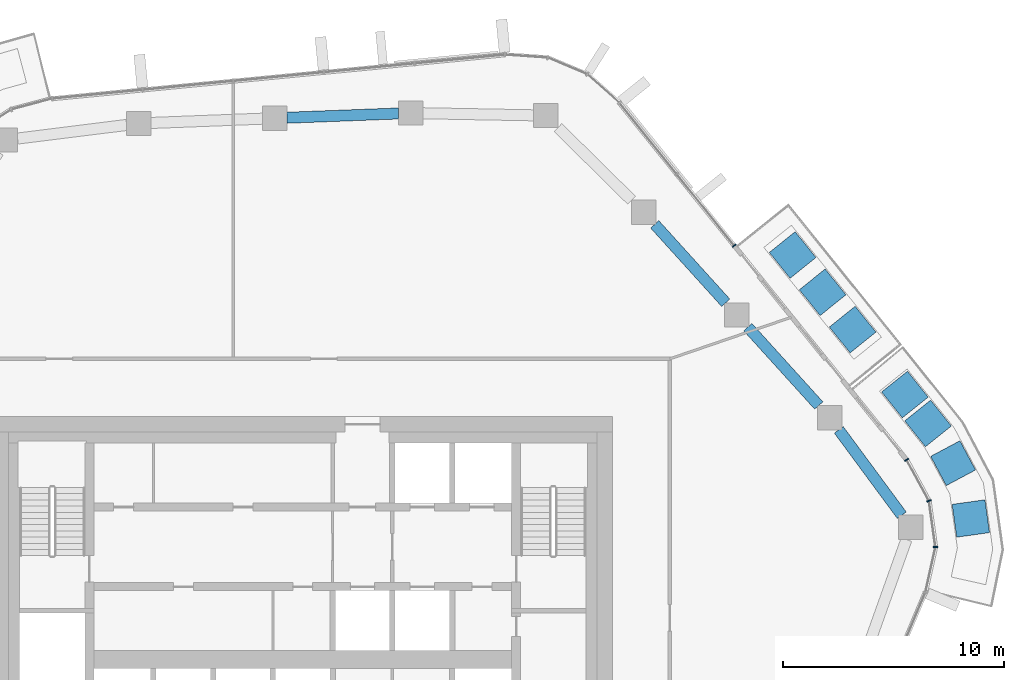
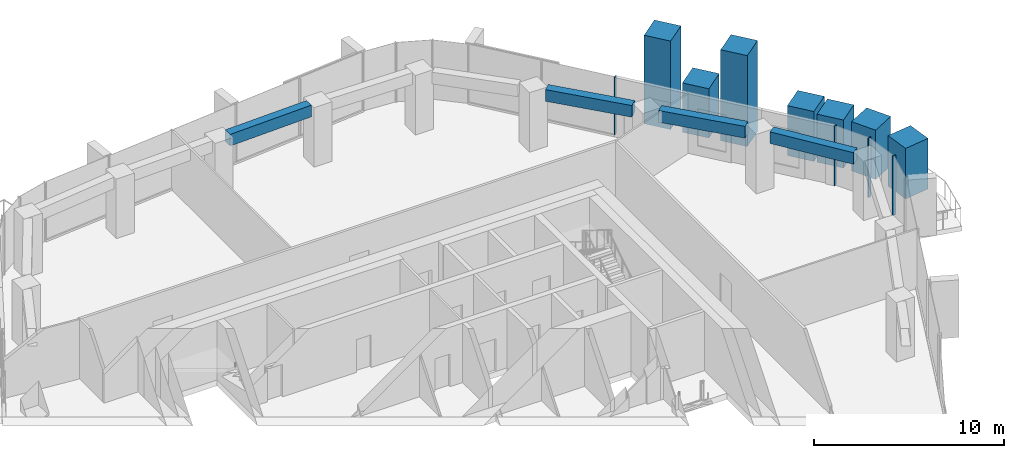
# One storey, part 8 of 20: 11 members, 4 beams, 2 elements without a shape of their own.
"""IFC4 building model written with IfcOpenShell, lengths in metres."""

from ifc_helpers import new_model, si_unit, direction, frame, origin, origin_2d, place, context, subcontext, project, spatial, rectangle, extrude, material, layer, layer_set, material_profile, profile_set, type_object, element, aggregate, save


model = new_model("IFC4")

# Units and contexts
model_context = context("Model", 3, precision=1e-05, world=origin(), true_north=direction((0.0, 1.0)))
body_context = subcontext(model_context, "Body", "Model", "MODEL_VIEW")
ifc_project = project(units=[si_unit("LENGTHUNIT", "METRE"), si_unit("AREAUNIT", "SQUARE_METRE"), si_unit("VOLUMEUNIT", "CUBIC_METRE"), si_unit("PLANEANGLEUNIT", "RADIAN"), si_unit("MASSUNIT", "GRAM", prefix="KILO")], contexts=[model_context])

# Site, building, storey
site_placement = place(None, origin())
site = spatial("IfcSite", under=ifc_project, at=site_placement, CompositionType="ELEMENT")
building_placement = place(site_placement, origin())
building = spatial("IfcBuilding", under=site, at=building_placement, Name="Dongbaek Canopy Tower", CompositionType="ELEMENT")
storey_placement = place(building_placement, frame((0.0, 0.0, 262.199951171875)))
storey = spatial("IfcBuildingStorey", under=building, at=storey_placement, Name="L55", CompositionType="ELEMENT", Elevation=262.199951171875)

# Curtain wall, members
ifc_material_1 = material(Name="Aluminium 6063-T6 pale anodised", Category="aluminium")
ifc_layer = layer(ifc_material_1, 0.199951171875)
ifc_layer_set = layer_set([ifc_layer], Name="CW-1 unitised tower curtain wall")
curtain_wall_type = type_object("IfcCurtainWallType", Name="CW-1 unitised tower curtain wall", PredefinedType="NOTDEFINED", material=ifc_layer_set)
curtain_wall_1_placement = place(storey_placement, origin())
curtain_wall_1 = element("IfcCurtainWall", 1, at=curtain_wall_1_placement, inside=storey, type_object=curtain_wall_type, Name="CW-1 curtain wall K0.1", PredefinedType="NOTDEFINED")
ifc_material_2 = material(Name="Aluminium 6063-T6 pale anodised", Category="aluminium")
ifc_material_profile_1 = material_profile(ifc_material_2, rectangle(XDim=0.199951171875, YDim=0.06005859375, at=origin_2d()), Name="CW-1 mullion 60 x 200")
ifc_profile_set_1 = profile_set([ifc_material_profile_1], Name="Aluminium 6063-T6 pale anodised")
member_type_1 = type_object("IfcMemberType", Name="CW-1 mullion 60 x 200", PredefinedType="MULLION", material=ifc_profile_set_1)
member_1_placement = place(storey_placement, frame((28.6083984375, 5.092529296875, 0.0), z_axis=(0.0, 0.0, 1.0), x_axis=(0.999216876817, -0.039568081642, 0.0)))
member_1 = element("IfcMember", 2, at=member_1_placement, type_object=member_type_1, Name="CW-1 mullion K0.1.2", PredefinedType="MULLION", context=body_context, shape_type="SweptSolid", body=[
    extrude(rectangle(XDim=0.199951171875, YDim=0.06005859375, at=origin_2d()), origin(), (0.0, 0.0, 1.0), 3.820068359375),
])
member_2_placement = place(storey_placement, frame((28.315673828125, 7.175537109375, 0.0), z_axis=(0.0, 0.0, 1.0), x_axis=(0.949557837382, 0.313591953765, 0.0)))
member_2 = element("IfcMember", 3, at=member_2_placement, type_object=member_type_1, Name="CW-1 mullion K0.1.3", PredefinedType="MULLION", context=body_context, shape_type="SweptSolid", body=[
    extrude(rectangle(XDim=0.199951171875, YDim=0.06005859375, at=origin_2d()), origin(), (0.0, 0.0, 1.0), 3.820068359375),
])
member_3_placement = place(storey_placement, frame((27.305908203125, 9.031494140625, 0.0), z_axis=(0.0, 0.0, 1.0), x_axis=(0.878420510508, 0.477888487745, 0.0)))
member_3 = element("IfcMember", 4, at=member_3_placement, type_object=member_type_1, Name="CW-1 mullion K0.1.4", PredefinedType="MULLION", context=body_context, shape_type="SweptSolid", body=[
    extrude(rectangle(XDim=0.199951171875, YDim=0.06005859375, at=origin_2d()), origin(), (0.0, 0.0, 1.0), 3.820068359375),
])
aggregate(curtain_wall_1, [member_1, member_2, member_3])

# Curtain wall, member
curtain_wall_2_placement = place(storey_placement, origin())
curtain_wall_2 = element("IfcCurtainWall", 5, at=curtain_wall_2_placement, inside=storey, type_object=curtain_wall_type, Name="CW-1 curtain wall F0.1", PredefinedType="NOTDEFINED")
member_4_placement = place(storey_placement, frame((19.51318359375, 18.717041015625, 0.1201171875), z_axis=(0.0, 0.0, 1.0), x_axis=(0.779126406475, 0.626866846096, 0.0)))
member_4 = element("IfcMember", 6, at=member_4_placement, type_object=member_type_1, Name="CW-1 mullion F0.1.1", PredefinedType="MULLION", context=body_context, shape_type="SweptSolid", body=[
    extrude(rectangle(XDim=0.199951171875, YDim=0.06005859375, at=origin_2d()), origin(), (0.0, 0.0, 1.0), 3.699951171875),
])
aggregate(curtain_wall_2, [member_4])

# Beams
ifc_material_3 = material(Name="Concrete C70", Category="concrete")
ifc_material_profile_2 = material_profile(ifc_material_3, rectangle(XDim=0.5, YDim=0.75, at=origin_2d()), Name="RC EDGE BEAM 500x750 C70")
ifc_profile_set_2 = profile_set([ifc_material_profile_2], Name="Concrete C70")
beam_type = type_object("IfcBeamType", Name="RC EDGE BEAM 500x750 C70", PredefinedType="BEAM", material=ifc_profile_set_2)
beam_1_placement = place(storey_placement, frame((-0.716064453125, 24.5, 3.445068359375), z_axis=(0.999269359521, 0.038219721647, 0.0), x_axis=(-0.038219721647, 0.999269359521, 0.0)))
element("IfcBeam", 7, at=beam_1_placement, inside=storey, type_object=beam_type, Name="EDGEBEAM:L55:15", PredefinedType="BEAM", context=body_context, shape_type="SweptSolid", body=[
    extrude(rectangle(XDim=0.5, YDim=0.75, at=origin_2d()), origin(), (0.0, 0.0, 1.0), 5.052734375),
])
beam_2_placement = place(storey_placement, frame((15.916015625, 19.678955078125, 3.445068359375), z_axis=(0.671330225436, -0.741158369322, 0.0), x_axis=(0.741158369322, 0.671330225436, 0.0)))
element("IfcBeam", 8, at=beam_2_placement, inside=storey, type_object=beam_type, Name="EDGEBEAM:L55:18", PredefinedType="BEAM", context=body_context, shape_type="SweptSolid", body=[
    extrude(rectangle(XDim=0.5, YDim=0.75, at=origin_2d()), origin(), (0.0, 0.0, 1.0), 4.782958984375),
])
beam_3_placement = place(storey_placement, frame((20.123046875, 15.033935546875, 3.445068359375), z_axis=(0.671218045362, -0.741259964911, 0.0), x_axis=(0.741259964911, 0.671218045362, 0.0)))
element("IfcBeam", 9, at=beam_3_placement, inside=storey, type_object=beam_type, Name="EDGEBEAM:L55:19", PredefinedType="BEAM", context=body_context, shape_type="SweptSolid", body=[
    extrude(rectangle(XDim=0.5, YDim=0.75, at=origin_2d()), origin(), (0.0, 0.0, 1.0), 4.7822265625),
])
beam_4_placement = place(storey_placement, frame((24.23681640625, 10.388916015625, 3.445068359375), z_axis=(0.593714292615, -0.804675921564, 0.0), x_axis=(0.804675921564, 0.593714292615, 0.0)))
element("IfcBeam", 10, at=beam_4_placement, inside=storey, type_object=beam_type, Name="EDGEBEAM:L55:20", PredefinedType="BEAM", context=body_context, shape_type="SweptSolid", body=[
    extrude(rectangle(XDim=0.5, YDim=0.75, at=origin_2d()), origin(), (0.0, 0.0, 1.0), 4.79931640625),
])

# Members
ifc_material_4 = material(Name="Concrete C40/50 planter mass with planting", Category="concrete")
ifc_material_profile_3 = material_profile(ifc_material_4, rectangle(XDim=1.5, YDim=1.5, at=origin_2d()), Name="Terrace PLANTER shrub mass 1500 x 1500")
ifc_profile_set_3 = profile_set([ifc_material_profile_3], Name="Concrete C40/50 planter mass with planting")
member_type_2 = type_object("IfcMemberType", Name="Terrace PLANTER shrub mass 1500 x 1500", PredefinedType="USERDEFINED", material=ifc_profile_set_3)
member_5_placement = place(storey_placement, frame((24.864013671875, 14.921875, 0.420166015625), z_axis=(0.0, 0.0, 1.0), x_axis=(0.779126406475, 0.626866846096, 0.0)))
element("IfcMember", 11, at=member_5_placement, inside=storey, type_object=member_type_2, Name="Planter tree L55 1.1", ObjectType="PLANTER", PredefinedType="USERDEFINED", context=body_context, shape_type="SweptSolid", body=[
    extrude(rectangle(XDim=1.5, YDim=1.5, at=origin_2d()), origin(), (0.0, 0.0, 1.0), 5.849853515625),
])
member_6_placement = place(storey_placement, frame((23.50732421875, 16.6083984375, 0.420166015625), z_axis=(0.0, 0.0, 1.0), x_axis=(0.779126406475, 0.626866846096, 0.0)))
element("IfcMember", 12, at=member_6_placement, inside=storey, type_object=member_type_2, Name="Planter shrubs L55 1.2", ObjectType="PLANTER", PredefinedType="USERDEFINED", context=body_context, shape_type="SweptSolid", body=[
    extrude(rectangle(XDim=1.5, YDim=1.5, at=origin_2d()), origin(), (0.0, 0.0, 1.0), 3.169921875),
])
member_7_placement = place(storey_placement, frame((22.150390625, 18.294677734375, 0.420166015625), z_axis=(0.0, 0.0, 1.0), x_axis=(0.779126406475, 0.626866846096, 0.0)))
element("IfcMember", 13, at=member_7_placement, inside=storey, type_object=member_type_2, Name="Planter tree L55 1.3", ObjectType="PLANTER", PredefinedType="USERDEFINED", context=body_context, shape_type="SweptSolid", body=[
    extrude(rectangle(XDim=1.5, YDim=1.5, at=origin_2d()), origin(), (0.0, 0.0, 1.0), 5.68994140625),
])
member_8_placement = place(storey_placement, frame((30.207763671875, 6.37939453125, 0.420166015625), z_axis=(0.0, 0.0, 1.0), x_axis=(0.990258160445, 0.139243583955, 0.0)))
element("IfcMember", 14, at=member_8_placement, inside=storey, type_object=member_type_2, Name="Planter shrubs L55 5.1", ObjectType="PLANTER", PredefinedType="USERDEFINED", context=body_context, shape_type="SweptSolid", body=[
    extrude(rectangle(XDim=1.5, YDim=1.5, at=origin_2d()), origin(), (0.0, 0.0, 1.0), 3.25),
])
member_9_placement = place(storey_placement, frame((29.40625, 8.880859375, 0.420166015625), z_axis=(0.0, 0.0, 1.0), x_axis=(0.882135637681, 0.470995452986, 0.0)))
element("IfcMember", 15, at=member_9_placement, inside=storey, type_object=member_type_2, Name="Planter shrubs L55 5.2", ObjectType="PLANTER", PredefinedType="USERDEFINED", context=body_context, shape_type="SweptSolid", body=[
    extrude(rectangle(XDim=1.5, YDim=1.5, at=origin_2d()), origin(), (0.0, 0.0, 1.0), 3.169921875),
])
member_10_placement = place(storey_placement, frame((28.2724609375, 10.677490234375, 0.420166015625), z_axis=(0.0, 0.0, 1.0), x_axis=(0.780395160614, 0.625286648898, 0.0)))
element("IfcMember", 16, at=member_10_placement, inside=storey, type_object=member_type_2, Name="Planter shrubs L55 5.3", ObjectType="PLANTER", PredefinedType="USERDEFINED", context=body_context, shape_type="SweptSolid", body=[
    extrude(rectangle(XDim=1.5, YDim=1.5, at=origin_2d()), origin(), (0.0, 0.0, 1.0), 3.08984375),
])
member_11_placement = place(storey_placement, frame((27.2255859375, 11.984130859375, 0.420166015625), z_axis=(0.0, 0.0, 1.0), x_axis=(0.780395160614, 0.625286648898, 0.0)))
element("IfcMember", 17, at=member_11_placement, inside=storey, type_object=member_type_2, Name="Planter shrubs L55 5.4", ObjectType="PLANTER", PredefinedType="USERDEFINED", context=body_context, shape_type="SweptSolid", body=[
    extrude(rectangle(XDim=1.5, YDim=1.5, at=origin_2d()), origin(), (0.0, 0.0, 1.0), 3.2099609375),
])

save(model, "model.ifc")
